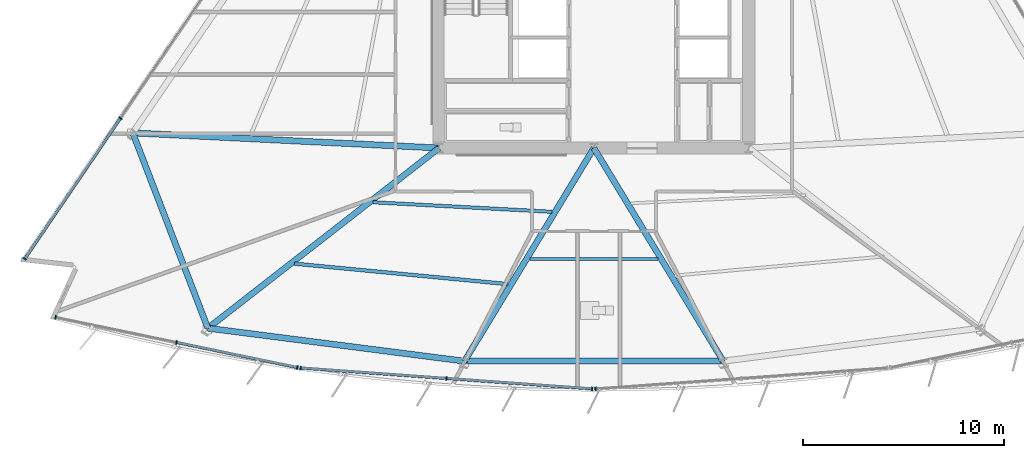
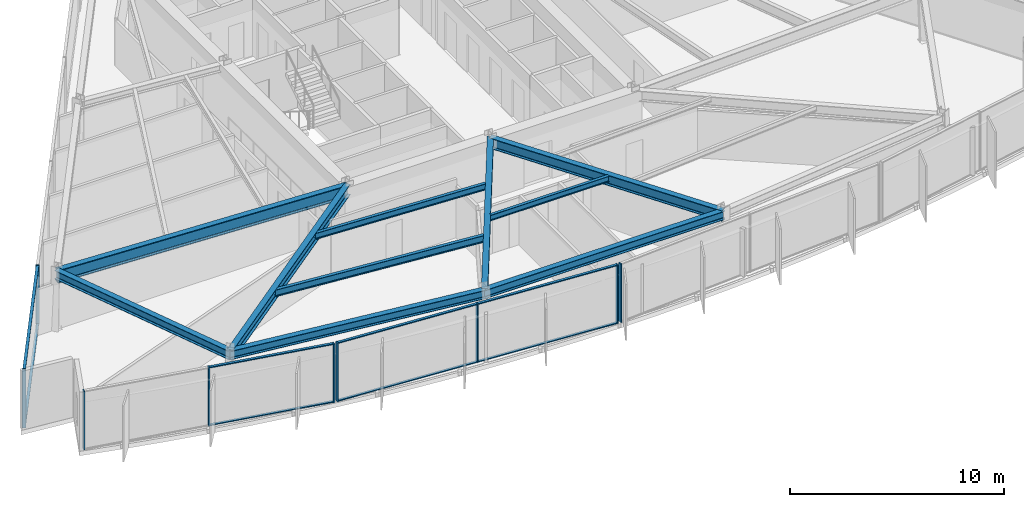
# One storey, part 2 of 15: 17 members, 10 beams, 4 elements without a shape of their own.
"""IFC4 building model written with IfcOpenShell, lengths in metres."""

from ifc_helpers import new_model, si_unit, direction, frame, origin, origin_2d, place, context, subcontext, project, spatial, rectangle, i_section, extrude, material, material_profile, profile_set, type_object, element, aggregate, save


model = new_model("IFC4")

# Units and contexts
model_context = context("Model", 3, precision=1e-05, world=origin(), true_north=direction((0.0, 1.0)))
body_context = subcontext(model_context, "Body", "Model", "MODEL_VIEW")
ifc_project = project(units=[si_unit("LENGTHUNIT", "METRE"), si_unit("AREAUNIT", "SQUARE_METRE"), si_unit("VOLUMEUNIT", "CUBIC_METRE"), si_unit("PLANEANGLEUNIT", "RADIAN"), si_unit("MASSUNIT", "GRAM", prefix="KILO")], contexts=[model_context])

# Site, building, storey
site_placement = place(None, origin())
site = spatial("IfcSite", under=ifc_project, at=site_placement, CompositionType="ELEMENT")
building_placement = place(site_placement, origin())
building = spatial("IfcBuilding", under=site, at=building_placement, Name="Savorim Split Tower", CompositionType="ELEMENT")
storey_placement = place(building_placement, frame((0.0, 0.0, 82.5)))
storey = spatial("IfcBuildingStorey", under=building, at=storey_placement, Name="L21", CompositionType="ELEMENT", Elevation=82.5)

# Beams
ifc_material_1 = material(Name="Steel S355", Category="steel")
ifc_material_profile_1 = material_profile(ifc_material_1, i_section(OverallWidth=0.159912109375, OverallDepth=0.330078125, WebThickness=0.007568359375, FlangeThickness=0.011474609375, FilletRadius=0.01806640625, at=origin_2d()), Name="IPE 330")
ifc_profile_set_1 = profile_set([ifc_material_profile_1], Name="Steel S355")
beam_type_1 = type_object("IfcBeamType", Name="BM-JST-IPE330", PredefinedType="JOIST", material=ifc_profile_set_1)
beam_1_placement = place(storey_placement, frame((-3.185302734375, -14.9111328125, 3.18505859375), z_axis=(1.0, 0.0, 0.0), x_axis=(0.0, 1.0, 0.0)))
element("IfcBeam", 1, at=beam_1_placement, inside=storey, type_object=beam_type_1, Name="L21 Secondary Floor Joist JS-03", PredefinedType="JOIST", context=body_context, shape_type="SweptSolid", body=[
    extrude(i_section(OverallWidth=0.159912109375, OverallDepth=0.330078125, WebThickness=0.007568359375, FlangeThickness=0.011474609375, FilletRadius=0.01806640625, at=origin_2d()), origin(), (0.0, 0.0, 1.0), 6.37060546875),
])
ifc_material_profile_2 = material_profile(ifc_material_1, i_section(OverallWidth=0.169921875, OverallDepth=0.360107421875, WebThickness=0.008056640625, FlangeThickness=0.0126953125, FilletRadius=0.01806640625, at=origin_2d()), Name="IPE 360")
ifc_profile_set_2 = profile_set([ifc_material_profile_2], Name="Steel S355")
beam_type_2 = type_object("IfcBeamType", Name="BM-JST-IPE360", PredefinedType="JOIST", material=ifc_profile_set_2)
beam_2_placement = place(storey_placement, frame((-10.98876953125, -12.096435546875, 3.169921875), z_axis=(0.998580804678, -0.053257642916, 0.0), x_axis=(0.053257642916, 0.998580804678, 0.0)))
element("IfcBeam", 2, at=beam_2_placement, inside=storey, type_object=beam_type_2, Name="L21 Secondary Floor Joist JS-02", PredefinedType="JOIST", context=body_context, shape_type="SweptSolid", body=[
    extrude(i_section(OverallWidth=0.169921875, OverallDepth=0.360107421875, WebThickness=0.008056640625, FlangeThickness=0.0126953125, FilletRadius=0.01806640625, at=origin_2d()), origin(), (0.0, 0.0, 1.0), 8.91162109375),
])
ifc_material_profile_3 = material_profile(ifc_material_1, i_section(OverallWidth=0.179931640625, OverallDepth=0.39990234375, WebThickness=0.008544921875, FlangeThickness=0.013427734375, FilletRadius=0.02099609375, at=origin_2d()), Name="IPE 400")
ifc_profile_set_3 = profile_set([ifc_material_profile_3], Name="Steel S355")
beam_type_3 = type_object("IfcBeamType", Name="BM-JST-IPE400", PredefinedType="JOIST", material=ifc_profile_set_3)
beam_3_placement = place(storey_placement, frame((-14.897705078125, -15.149658203125, 3.14990234375), z_axis=(0.995437492517, -0.09541592368, 0.0), x_axis=(0.09541592368, 0.995437492517, 0.0)))
element("IfcBeam", 3, at=beam_3_placement, inside=storey, type_object=beam_type_3, Name="L21 Secondary Floor Joist JS-01", PredefinedType="JOIST", context=body_context, shape_type="SweptSolid", body=[
    extrude(i_section(OverallWidth=0.179931640625, OverallDepth=0.39990234375, WebThickness=0.008544921875, FlangeThickness=0.013427734375, FilletRadius=0.02099609375, at=origin_2d()), origin(), (0.0, 0.0, 1.0), 10.669677734375),
])
ifc_material_profile_4 = material_profile(ifc_material_1, i_section(OverallWidth=0.300048828125, OverallDepth=0.60009765625, WebThickness=0.015380859375, FlangeThickness=0.030029296875, FilletRadius=0.027099609375, at=origin_2d()), Name="HEB 600")
ifc_profile_set_4 = profile_set([ifc_material_profile_4], Name="Steel S355")
beam_type_4 = type_object("IfcBeamType", Name="BM-PRI-HEB600", PredefinedType="BEAM", material=ifc_profile_set_4)
beam_4_placement = place(storey_placement, frame((-19.1953125, -18.35986328125, 3.050048828125), z_axis=(0.78871590422, 0.614757856746, 0.0), x_axis=(-0.614757856746, 0.78871590422, 0.0)))
element("IfcBeam", 4, at=beam_4_placement, inside=storey, type_object=beam_type_4, Name="L21 Primary Floor Girder RG-01", PredefinedType="BEAM", context=body_context, shape_type="SweptSolid", body=[
    extrude(i_section(OverallWidth=0.300048828125, OverallDepth=0.60009765625, WebThickness=0.015380859375, FlangeThickness=0.030029296875, FilletRadius=0.027099609375, at=origin_2d()), origin(), (0.0, 0.0, 1.0), 14.57470703125),
])
for number, where, z_axis, x_axis, name in (
    (5, (-6.433349609375, -19.998291015625, 3.050048828125), (0.518896428681, 0.854837116825, 0.0), (-0.854837116825, 0.518896428681, 0.0), "L21 Primary Floor Girder RG-02"),
    (6, (6.433349609375, -19.998291015625, 3.050048828125), (-0.518896428681, 0.854837116825, 0.0), (-0.854837116825, -0.518896428681, 0.0), "L21 Primary Floor Girder RG-03"),
):
    element("IfcBeam", number, at=place(storey_placement, frame(where, z_axis=z_axis, x_axis=x_axis)), inside=storey, type_object=beam_type_4, Name=name, PredefinedType="BEAM", context=body_context, shape_type="SweptSolid", body=[
        extrude(i_section(OverallWidth=0.300048828125, OverallDepth=0.60009765625, WebThickness=0.015380859375, FlangeThickness=0.030029296875, FilletRadius=0.027099609375, at=origin_2d()), origin(), (0.0, 0.0, 1.0), 12.398193359375),
    ])
ifc_material_2 = material(Name="Steel S460", Category="steel")
ifc_material_profile_5 = material_profile(ifc_material_2, i_section(OverallWidth=0.303955078125, OverallDepth=0.716064453125, WebThickness=0.02099609375, FlangeThickness=0.0400390625, FilletRadius=0.027099609375, at=origin_2d()), Name="HE 700 M")
ifc_profile_set_5 = profile_set([ifc_material_profile_5], Name="Steel S460")
beam_type_5 = type_object("IfcBeamType", Name="BM-PRI-HEM700", PredefinedType="BEAM", material=ifc_profile_set_5)
beam_5_placement = place(storey_placement, frame((-22.9296875, -8.648193359375, 2.991943359375), z_axis=(0.998784116185, -0.049297964023, 0.0), x_axis=(0.049297964023, 0.998784116185, 0.0)))
element("IfcBeam", 7, at=beam_5_placement, inside=storey, type_object=beam_type_5, Name="L21 Primary Floor Girder RG-10", PredefinedType="BEAM", context=body_context, shape_type="SweptSolid", body=[
    extrude(i_section(OverallWidth=0.303955078125, OverallDepth=0.716064453125, WebThickness=0.02099609375, FlangeThickness=0.0400390625, FilletRadius=0.027099609375, at=origin_2d()), origin(), (0.0, 0.0, 1.0), 15.248291015625),
])
ifc_material_profile_6 = material_profile(ifc_material_1, i_section(OverallWidth=0.300048828125, OverallDepth=0.489990234375, WebThickness=0.011962890625, FlangeThickness=0.02294921875, FilletRadius=0.027099609375, at=origin_2d()), Name="HEA 500")
ifc_profile_set_6 = profile_set([ifc_material_profile_6], Name="Steel S355")
beam_type_6 = type_object("IfcBeamType", Name="BM-SPN-HEA500", PredefinedType="SPANDREL", material=ifc_profile_set_6)
for number, where, z_axis, x_axis, name in (
    (8, (-19.1953125, -18.35986328125, 3.10498046875), (0.991859311884, -0.127338546516, 0.0), (0.127338546516, 0.991859311884, 0.0), "L21 Perimeter Spandrel Beam 1"),
    (9, (-6.433349609375, -19.998291015625, 3.10498046875), (1.0, 0.0, 0.0), (0.0, 1.0, 0.0), "L21 Perimeter Spandrel Beam 2"),
):
    element("IfcBeam", number, at=place(storey_placement, frame(where, z_axis=z_axis, x_axis=x_axis)), inside=storey, type_object=beam_type_6, Name=name, PredefinedType="SPANDREL", context=body_context, shape_type="SweptSolid", body=[
        extrude(i_section(OverallWidth=0.300048828125, OverallDepth=0.489990234375, WebThickness=0.011962890625, FlangeThickness=0.02294921875, FilletRadius=0.027099609375, at=origin_2d()), origin(), (0.0, 0.0, 1.0), 12.86669921875),
    ])
beam_6_placement = place(storey_placement, frame((-22.9296875, -8.648193359375, 3.10498046875), z_axis=(0.358905178713, -0.933374026151, 0.0), x_axis=(0.933374026151, 0.358905178713, 0.0)))
element("IfcBeam", 10, at=beam_6_placement, inside=storey, type_object=beam_type_6, Name="L21 Perimeter Spandrel Beam 10", PredefinedType="SPANDREL", context=body_context, shape_type="SweptSolid", body=[
    extrude(i_section(OverallWidth=0.300048828125, OverallDepth=0.489990234375, WebThickness=0.011962890625, FlangeThickness=0.02294921875, FilletRadius=0.027099609375, at=origin_2d()), origin(), (0.0, 0.0, 1.0), 10.40478515625),
])

# Curtain wall, members
ifc_material_3 = material(Name="Dark Ceramic-Fritted Insulated Glass", Category="glass")
curtain_wall_type = type_object("IfcCurtainWallType", Name="CW-TWR-FRIT-A", PredefinedType="NOTDEFINED", material=ifc_material_3)
curtain_wall_1_placement = place(storey_placement, origin())
curtain_wall_1 = element("IfcCurtainWall", 11, at=curtain_wall_1_placement, inside=storey, type_object=curtain_wall_type, Name="L21 Curtain Wall CW-L21-SF1", PredefinedType="NOTDEFINED")
ifc_material_4 = material(Name="Charcoal Anodised Aluminium", Category="aluminium")
ifc_material_profile_7 = material_profile(ifc_material_4, rectangle(XDim=0.179931640625, YDim=0.06494140625, at=origin_2d()), Name="ALU-M 180x65")
ifc_profile_set_7 = profile_set([ifc_material_profile_7], Name="Charcoal Anodised Aluminium")
member_type_1 = type_object("IfcMemberType", Name="CWM-180x65", PredefinedType="MULLION", material=ifc_profile_set_7)
member_1_placement = place(storey_placement, frame((-26.76513671875, -17.81689453125, 0.0), z_axis=(0.0, 0.0, 1.0), x_axis=(0.203210153081, 0.979135145772, 0.0)))
member_1 = element("IfcMember", 12, at=member_1_placement, type_object=member_type_1, Name="CW-02 mullion 1", PredefinedType="MULLION", context=body_context, shape_type="SweptSolid", body=[
    extrude(rectangle(XDim=0.179931640625, YDim=0.06494140625, at=origin_2d()), origin(), (0.0, 0.0, 1.0), 3.35009765625),
])
member_2_placement = place(storey_placement, frame((-20.75634765625, -19.064208984375, 0.0), z_axis=(0.0, 0.0, 1.0), x_axis=(0.203210153081, 0.979135145772, 0.0)))
member_2 = element("IfcMember", 13, at=member_2_placement, type_object=member_type_1, Name="CW-02 mullion 2", PredefinedType="MULLION", context=body_context, shape_type="SweptSolid", body=[
    extrude(rectangle(XDim=0.179931640625, YDim=0.06494140625, at=origin_2d()), origin(), (0.0, 0.0, 1.0), 3.35009765625),
])
member_3_placement = place(storey_placement, frame((-14.747314453125, -20.311279296875, 0.0), z_axis=(0.0, 0.0, 1.0), x_axis=(0.203210153081, 0.979135145772, 0.0)))
member_3 = element("IfcMember", 14, at=member_3_placement, type_object=member_type_1, Name="CW-02 mullion 3", PredefinedType="MULLION", context=body_context, shape_type="SweptSolid", body=[
    extrude(rectangle(XDim=0.179931640625, YDim=0.06494140625, at=origin_2d()), origin(), (0.0, 0.0, 1.0), 3.35009765625),
])

curtain_wall_2_placement = place(storey_placement, origin())
curtain_wall_2 = element("IfcCurtainWall", 15, at=curtain_wall_2_placement, inside=storey, type_object=curtain_wall_type, Name="L21 Curtain Wall CW-L21-SF2", PredefinedType="NOTDEFINED")
member_4_placement = place(storey_placement, frame((-14.580322265625, -20.33447265625, 0.0), z_axis=(0.0, 0.0, 1.0), x_axis=(0.071560540796, 0.997436258114, 0.0)))
member_4 = element("IfcMember", 16, at=member_4_placement, type_object=member_type_1, Name="CW-02 mullion 1", PredefinedType="MULLION", context=body_context, shape_type="SweptSolid", body=[
    extrude(rectangle(XDim=0.179931640625, YDim=0.06494140625, at=origin_2d()), origin(), (0.0, 0.0, 1.0), 3.35009765625),
])
member_5_placement = place(storey_placement, frame((-7.33203125, -20.8544921875, 0.0), z_axis=(0.0, 0.0, 1.0), x_axis=(0.071560540796, 0.997436258114, 0.0)))
member_5 = element("IfcMember", 17, at=member_5_placement, type_object=member_type_1, Name="CW-02 mullion 2", PredefinedType="MULLION", context=body_context, shape_type="SweptSolid", body=[
    extrude(rectangle(XDim=0.179931640625, YDim=0.06494140625, at=origin_2d()), origin(), (0.0, 0.0, 1.0), 3.35009765625),
])
member_6_placement = place(storey_placement, frame((-0.083740234375, -21.37451171875, 0.0), z_axis=(0.0, 0.0, 1.0), x_axis=(0.071560540796, 0.997436258114, 0.0)))
member_6 = element("IfcMember", 18, at=member_6_placement, type_object=member_type_1, Name="CW-02 mullion 3", PredefinedType="MULLION", context=body_context, shape_type="SweptSolid", body=[
    extrude(rectangle(XDim=0.179931640625, YDim=0.06494140625, at=origin_2d()), origin(), (0.0, 0.0, 1.0), 3.35009765625),
])

# Curtain wall, member
curtain_wall_3_placement = place(storey_placement, origin())
curtain_wall_3 = element("IfcCurtainWall", 19, at=curtain_wall_3_placement, inside=storey, type_object=curtain_wall_type, Name="L21 Curtain Wall CW-L21-SF3", PredefinedType="NOTDEFINED")
member_7_placement = place(storey_placement, frame((0.083740234375, -21.37451171875, 0.0), z_axis=(0.0, 0.0, 1.0), x_axis=(-0.071560540796, 0.997436258114, 0.0)))
member_7 = element("IfcMember", 20, at=member_7_placement, type_object=member_type_1, Name="CW-02 mullion 1", PredefinedType="MULLION", context=body_context, shape_type="SweptSolid", body=[
    extrude(rectangle(XDim=0.179931640625, YDim=0.06494140625, at=origin_2d()), origin(), (0.0, 0.0, 1.0), 3.35009765625),
])
aggregate(curtain_wall_3, [member_7])

# Curtain wall, members
curtain_wall_4_placement = place(storey_placement, origin())
curtain_wall_4 = element("IfcCurtainWall", 21, at=curtain_wall_4_placement, inside=storey, type_object=curtain_wall_type, Name="L21 Curtain Wall CW-L21-WEST", PredefinedType="NOTDEFINED")
member_8_placement = place(storey_placement, frame((-23.539306640625, -7.917236328125, 0.0), z_axis=(0.0, 0.0, 1.0), x_axis=(0.826819383915, -0.562467515846, 0.0)))
member_8 = element("IfcMember", 22, at=member_8_placement, type_object=member_type_1, Name="CW-02 mullion 4", PredefinedType="MULLION", context=body_context, shape_type="SweptSolid", body=[
    extrude(rectangle(XDim=0.179931640625, YDim=0.06494140625, at=origin_2d()), origin(), (0.0, 0.0, 1.0), 3.35009765625),
])
member_9_placement = place(storey_placement, frame((-28.294921875, -14.908203125, 0.0), z_axis=(0.0, 0.0, 1.0), x_axis=(0.826819383915, -0.562467515846, 0.0)))
member_9 = element("IfcMember", 23, at=member_9_placement, type_object=member_type_1, Name="CW-02 mullion 5", PredefinedType="MULLION", context=body_context, shape_type="SweptSolid", body=[
    extrude(rectangle(XDim=0.179931640625, YDim=0.06494140625, at=origin_2d()), origin(), (0.0, 0.0, 1.0), 3.35009765625),
])

# Member
ifc_material_profile_8 = material_profile(ifc_material_4, rectangle(XDim=0.139892578125, YDim=0.054931640625, at=origin_2d()), Name="ALU-T 140x55")
ifc_profile_set_8 = profile_set([ifc_material_profile_8], Name="Charcoal Anodised Aluminium")
member_type_2 = type_object("IfcMemberType", Name="CWT-140x55", PredefinedType="USERDEFINED", material=ifc_profile_set_8)
member_10_placement = place(storey_placement, frame((-20.724365234375, -19.07080078125, 0.027587890625), z_axis=(0.97913534694, -0.203209183781, 0.0), x_axis=(0.203209183781, 0.97913534694, 0.0)))
member_10 = element("IfcMember", 24, at=member_10_placement, type_object=member_type_2, Name="CW-02 transom 2.1", ObjectType="TRANSOM", PredefinedType="USERDEFINED", context=body_context, shape_type="SweptSolid", body=[
    extrude(rectangle(XDim=0.139892578125, YDim=0.054931640625, at=origin_2d()), origin(), (0.0, 0.0, 1.0), 6.072021484375),
])

member_11_placement = place(storey_placement, frame((-20.724365234375, -19.07080078125, 3.322509765625), z_axis=(0.97913534694, -0.203209183781, 0.0), x_axis=(0.203209183781, 0.97913534694, 0.0)))
member_11 = element("IfcMember", 25, at=member_11_placement, type_object=member_type_2, Name="CW-02 transom 2.2", ObjectType="TRANSOM", PredefinedType="USERDEFINED", context=body_context, shape_type="SweptSolid", body=[
    extrude(rectangle(XDim=0.139892578125, YDim=0.054931640625, at=origin_2d()), origin(), (0.0, 0.0, 1.0), 6.072021484375),
])

aggregate(curtain_wall_1, [member_1, member_2, member_3, member_10, member_11])

member_12_placement = place(storey_placement, frame((-14.5478515625, -20.336669921875, 0.027587890625), z_axis=(0.997436107345, -0.071562642239, 0.0), x_axis=(0.071562642239, 0.997436107345, 0.0)))
member_12 = element("IfcMember", 26, at=member_12_placement, type_object=member_type_2, Name="CW-02 transom 1.1", ObjectType="TRANSOM", PredefinedType="USERDEFINED", context=body_context, shape_type="SweptSolid", body=[
    extrude(rectangle(XDim=0.139892578125, YDim=0.054931640625, at=origin_2d()), origin(), (0.0, 0.0, 1.0), 7.201904296875),
])

member_13_placement = place(storey_placement, frame((-14.5478515625, -20.336669921875, 3.322509765625), z_axis=(0.997436107345, -0.071562642239, 0.0), x_axis=(0.071562642239, 0.997436107345, 0.0)))
member_13 = element("IfcMember", 27, at=member_13_placement, type_object=member_type_2, Name="CW-02 transom 1.2", ObjectType="TRANSOM", PredefinedType="USERDEFINED", context=body_context, shape_type="SweptSolid", body=[
    extrude(rectangle(XDim=0.139892578125, YDim=0.054931640625, at=origin_2d()), origin(), (0.0, 0.0, 1.0), 7.201904296875),
])

member_14_placement = place(storey_placement, frame((-7.299560546875, -20.856689453125, 0.027587890625), z_axis=(0.997436107345, -0.071562642239, 0.0), x_axis=(0.071562642239, 0.997436107345, 0.0)))
member_14 = element("IfcMember", 28, at=member_14_placement, type_object=member_type_2, Name="CW-02 transom 2.1", ObjectType="TRANSOM", PredefinedType="USERDEFINED", context=body_context, shape_type="SweptSolid", body=[
    extrude(rectangle(XDim=0.139892578125, YDim=0.054931640625, at=origin_2d()), origin(), (0.0, 0.0, 1.0), 7.201904296875),
])

member_15_placement = place(storey_placement, frame((-7.299560546875, -20.856689453125, 3.322509765625), z_axis=(0.997436107345, -0.071562642239, 0.0), x_axis=(0.071562642239, 0.997436107345, 0.0)))
member_15 = element("IfcMember", 29, at=member_15_placement, type_object=member_type_2, Name="CW-02 transom 2.2", ObjectType="TRANSOM", PredefinedType="USERDEFINED", context=body_context, shape_type="SweptSolid", body=[
    extrude(rectangle(XDim=0.139892578125, YDim=0.054931640625, at=origin_2d()), origin(), (0.0, 0.0, 1.0), 7.201904296875),
])

aggregate(curtain_wall_2, [member_4, member_5, member_6, member_12, member_13, member_14, member_15])

member_16_placement = place(storey_placement, frame((-23.5576171875, -7.9443359375, 0.027587890625), z_axis=(-0.562478744219, -0.826811745382, 0.0), x_axis=(0.826811745382, -0.562478744219, 0.0)))
member_16 = element("IfcMember", 30, at=member_16_placement, type_object=member_type_2, Name="CW-02 transom 4.1", ObjectType="TRANSOM", PredefinedType="USERDEFINED", context=body_context, shape_type="SweptSolid", body=[
    extrude(rectangle(XDim=0.139892578125, YDim=0.054931640625, at=origin_2d()), origin(), (0.0, 0.0, 1.0), 8.39013671875),
])

member_17_placement = place(storey_placement, frame((-23.5576171875, -7.9443359375, 3.322509765625), z_axis=(-0.562478744219, -0.826811745382, 0.0), x_axis=(0.826811745382, -0.562478744219, 0.0)))
member_17 = element("IfcMember", 31, at=member_17_placement, type_object=member_type_2, Name="CW-02 transom 4.2", ObjectType="TRANSOM", PredefinedType="USERDEFINED", context=body_context, shape_type="SweptSolid", body=[
    extrude(rectangle(XDim=0.139892578125, YDim=0.054931640625, at=origin_2d()), origin(), (0.0, 0.0, 1.0), 8.39013671875),
])

aggregate(curtain_wall_4, [member_8, member_9, member_16, member_17])

save(model, "model.ifc")
